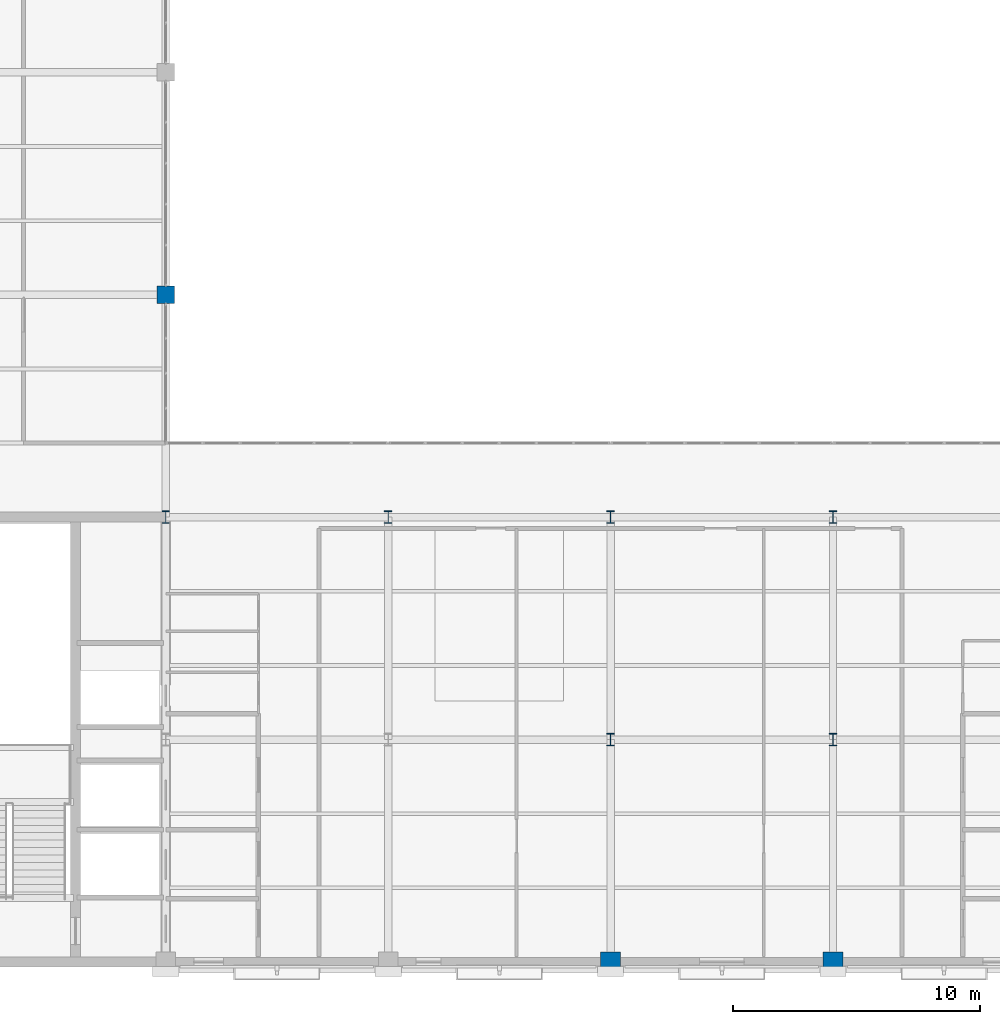
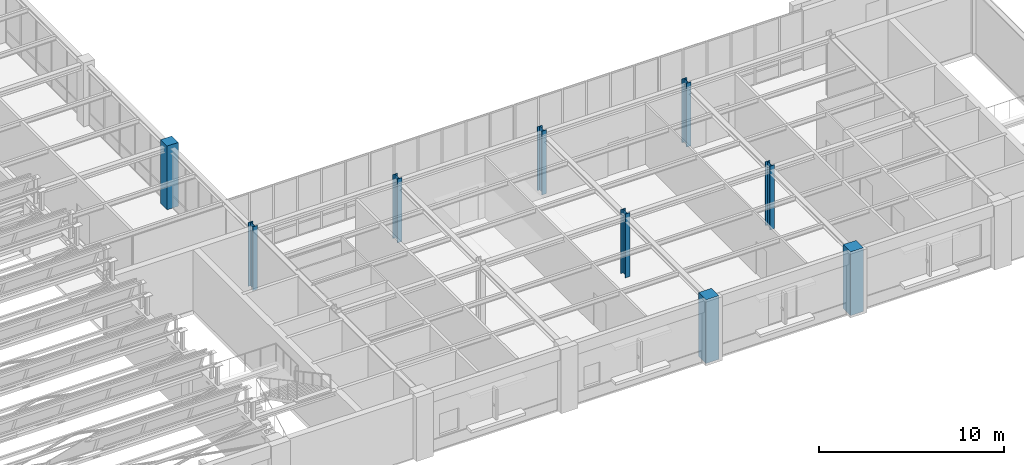
# One storey, part 2 of 108: 9 columns.
"""IFC4 building model written with IfcOpenShell, lengths in metres."""

import ifcopenshell
import ifcopenshell.guid

model = None  # the IFC model being written
_history = None  # IfcOwnerHistory: only IFC2X3 demands one
_inside = {}  # id of a spatial element -> (the spatial element, [elements in it])
_under = {}  # id of a project, library or spatial element -> (it, [spatial elements below it])
_declared = {}  # id of a project -> (the project, [libraries it declares])
_typed = {}  # id of a type object -> (the type object, [elements of that type])
_made_of = {}  # id of a material, layer set ... -> (it, [elements and type objects made of it])


def new_model(schema):
    """Start an empty IFC model of exactly this schema.

    Asked for "IFC4X3", IfcOpenShell would pick the latest addendum, in which some entities
    have other attributes; the version numbers below select the first issue.
    IFC2X3 requires an IfcOwnerHistory on every rooted entity: one is made here for all.
    """
    global model, _history
    if schema == "IFC4X3":
        model = ifcopenshell.file(schema_version=(4, 3, 0, 0))
    else:
        model = ifcopenshell.file(schema=schema)
    _inside.clear()
    _under.clear()
    _declared.clear()
    _typed.clear()
    _made_of.clear()
    _history = None
    if model.schema == "IFC2X3":
        org = make("IfcOrganization", Name="unknown")
        user = make(
            "IfcPersonAndOrganization",
            ThePerson=make("IfcPerson", FamilyName="unknown"),
            TheOrganization=org,
        )
        app = make(
            "IfcApplication",
            ApplicationDeveloper=org,
            Version="unknown",
            ApplicationFullName="unknown",
            ApplicationIdentifier="unknown",
        )
        _history = make(
            "IfcOwnerHistory",
            OwningUser=user,
            OwningApplication=app,
            ChangeAction="ADDED",
            CreationDate=0,
        )
    return model


def make(cls, **values):
    """One entity of the class cls with the attributes given. An attribute that is None is left unset."""
    return model.create_entity(
        cls, **{name: value for name, value in values.items() if value is not None}
    )


def rooted(cls, **values):
    """An entity with a GlobalId (a new one), such as an element, a storey or a relation."""
    return make(cls, GlobalId=ifcopenshell.guid.new(), OwnerHistory=_history, **values)


def si_unit(unit_type, name, prefix=None):
    """IfcSIUnit, for example si_unit("LENGTHUNIT", "METRE", prefix="MILLI")."""
    return make("IfcSIUnit", UnitType=unit_type, Prefix=prefix, Name=name)


def assignment(units):
    """IfcUnitAssignment: the units of a project."""
    return None if units is None else make("IfcUnitAssignment", Units=units)


def point(xyz):
    """IfcCartesianPoint."""
    return None if xyz is None else make("IfcCartesianPoint", Coordinates=xyz)


def direction(xyz):
    """IfcDirection."""
    return None if xyz is None else make("IfcDirection", DirectionRatios=xyz)


def frame(location, z_axis=None, x_axis=None):
    """IfcAxis2Placement3D, a coordinate frame: its origin and axes. An axis left out is left unset."""
    return make(
        "IfcAxis2Placement3D",
        Location=point(location),
        Axis=direction(z_axis),
        RefDirection=direction(x_axis),
    )


def frame_2d(location, x_axis=None):
    """IfcAxis2Placement2D, a coordinate frame in the plane: its origin and x axis."""
    return make(
        "IfcAxis2Placement2D", Location=point(location), RefDirection=direction(x_axis)
    )


def origin():
    """The frame at (0, 0, 0) with its axes left unset."""
    return frame((0.0, 0.0, 0.0))


def origin_2d():
    """The frame at (0, 0) in the plane with its x axis left unset."""
    return frame_2d((0.0, 0.0))


def place(relative_to, where):
    """IfcLocalPlacement: puts the frame where relative to a parent placement (None: the world)."""
    return make(
        "IfcLocalPlacement", PlacementRelTo=relative_to, RelativePlacement=where
    )


def context(
    kind, dimensions, precision=None, world=None, true_north=None, identifier=None
):
    """IfcGeometricRepresentationContext, for example the 3D "Model" context."""
    return make(
        "IfcGeometricRepresentationContext",
        ContextIdentifier=identifier,
        ContextType=kind,
        CoordinateSpaceDimension=dimensions,
        Precision=precision,
        WorldCoordinateSystem=world,
        TrueNorth=true_north,
    )


def subcontext(parent, identifier, kind, view, scale=None):
    """IfcGeometricRepresentationSubContext, for example "Body" below "Model"."""
    return make(
        "IfcGeometricRepresentationSubContext",
        ContextIdentifier=identifier,
        ContextType=kind,
        ParentContext=parent,
        TargetScale=scale,
        TargetView=view,
    )


def project(units=None, contexts=None):
    """IfcProject with its units and contexts."""
    return rooted(
        "IfcProject",
        Name="project",
        RepresentationContexts=contexts,
        UnitsInContext=assignment(units),
    )


def spatial(cls, under=None, at=None, **own):
    """A site, building, storey or space (cls), placed at a placement, below another one or the project."""
    s = rooted(cls, ObjectPlacement=at, **own)
    if under is not None:
        _under.setdefault(under.id(), (under, []))[1].append(s)
    return s


def profile(cls, at=None, kind="AREA", **sizes):
    """A parametric profile (cls). Its sizes go by their IFC names, for example OverallWidth=200.0."""
    return make(cls, ProfileType=kind, Position=at, **sizes)


def rectangle(**sizes):
    """IfcRectangleProfileDef."""
    return profile("IfcRectangleProfileDef", **sizes)


def i_section(**sizes):
    """IfcIShapeProfileDef."""
    return profile("IfcIShapeProfileDef", **sizes)


def extrude(swept, where, along, depth):
    """IfcExtrudedAreaSolid: the profile swept, set in the frame where, extruded along a direction by depth."""
    return make(
        "IfcExtrudedAreaSolid",
        SweptArea=swept,
        Position=where,
        ExtrudedDirection=direction(along),
        Depth=depth,
    )


def shape(context_of_items, identifier, shape_type, items):
    """IfcShapeRepresentation: the items that make up one representation, for example the "Body"."""
    return make(
        "IfcShapeRepresentation",
        ContextOfItems=context_of_items,
        RepresentationIdentifier=identifier,
        RepresentationType=shape_type,
        Items=items,
    )


def material(Name=None, Category=None):
    """IfcMaterial."""
    return make("IfcMaterial", Name=Name, Category=Category)


def material_profile(
    of_material, cross_section, Name=None, Category=None, Priority=None
):
    """IfcMaterialProfile: a cross section and its material."""
    return make(
        "IfcMaterialProfile",
        Name=Name,
        Material=of_material,
        Profile=cross_section,
        Priority=Priority,
        Category=Category,
    )


def profile_set(profiles, Name=None, composite=None):
    """IfcMaterialProfileSet."""
    return make(
        "IfcMaterialProfileSet",
        Name=Name,
        MaterialProfiles=profiles,
        CompositeProfile=composite,
    )


def made_of(thing, what):
    """Note that an element or type object is made of a material, layer set ...; save() writes the relation."""
    if what is not None:
        _made_of.setdefault(what.id(), (what, []))[1].append(thing)
    return thing


def type_object(cls, material=None, **own):
    """A type object (cls), such as IfcWallType, which elements share."""
    return made_of(rooted(cls, **own), material)


def element(
    cls,
    number,
    at=None,
    inside=None,
    cuts=None,
    type_object=None,
    material=None,
    context=None,
    identifier="Body",
    shape_type=None,
    held_by="IfcProductDefinitionShape",
    body=None,
    shapes=None,
    **own,
):
    """One element of the class cls, such as IfcWall. Its Tag is "e" and its number.

    at: its placement. inside: the storey or other place that contains it. cuts: it is an
    opening in that element (IfcRelVoidsElement). A single representation is given by context,
    identifier, shape_type and body (its items); several are given by shapes. held_by: the class
    of the entity that holds the representations. save() writes the other relations.
    """
    e = rooted(cls, Tag="e%d" % number, ObjectPlacement=at, **own)
    if body is not None:
        shapes = [shape(context, identifier, shape_type, body)]
    if shapes is not None:
        e.Representation = make(held_by, Representations=shapes)
    if inside is not None:
        _inside.setdefault(inside.id(), (inside, []))[1].append(e)
    if cuts is not None:
        rooted(
            "IfcRelVoidsElement", RelatingBuildingElement=cuts, RelatedOpeningElement=e
        )
    if type_object is not None:
        _typed.setdefault(type_object.id(), (type_object, []))[1].append(e)
    return made_of(e, material)


def aggregate(whole, parts):
    """IfcRelAggregates: a whole, such as a stair, and the parts it consists of."""
    return rooted("IfcRelAggregates", RelatingObject=whole, RelatedObjects=parts)


def save(model, path):
    """Write the relations noted so far, then the file.

    IfcRelAggregates (storeys below a building ...), IfcRelContainedInSpatialStructure (elements
    in a storey), IfcRelDefinesByType, IfcRelAssociatesMaterial and IfcRelDeclares: one each for
    every whole, place, type object, material and project.
    """
    for whole, parts in _under.values():
        aggregate(whole, parts)
    for where, things in _inside.values():
        rooted(
            "IfcRelContainedInSpatialStructure",
            RelatedElements=things,
            RelatingStructure=where,
        )
    for kind, things in _typed.values():
        rooted("IfcRelDefinesByType", RelatedObjects=things, RelatingType=kind)
    for what, things in _made_of.values():
        rooted("IfcRelAssociatesMaterial", RelatedObjects=things, RelatingMaterial=what)
    for by, libraries in _declared.values():
        rooted("IfcRelDeclares", RelatingContext=by, RelatedDefinitions=libraries)
    model.write(path)


model = new_model("IFC4")

# Units and contexts
model_context = context("Model", 3, precision=1e-05, world=origin(), true_north=direction((0.0, 1.0)))
body_context = subcontext(model_context, "Body", "Model", "MODEL_VIEW")
ifc_project = project(units=[si_unit("LENGTHUNIT", "METRE"), si_unit("AREAUNIT", "SQUARE_METRE"), si_unit("VOLUMEUNIT", "CUBIC_METRE"), si_unit("PLANEANGLEUNIT", "RADIAN"), si_unit("MASSUNIT", "GRAM", prefix="KILO")], contexts=[model_context])

# Site, building, storey
site_placement = place(None, origin())
site = spatial("IfcSite", under=ifc_project, at=site_placement, CompositionType="ELEMENT")
building_placement = place(site_placement, origin())
building = spatial("IfcBuilding", under=site, at=building_placement, Name="Lykobir Media Centre", CompositionType="ELEMENT")
storey_placement = place(building_placement, frame((0.0, 0.0, 15.0)))
storey = spatial("IfcBuildingStorey", under=building, at=storey_placement, Name="L03", CompositionType="ELEMENT", Elevation=15.0)

# Columns
ifc_material_1 = material(Name="Concrete C40/50", Category="concrete")
ifc_material_profile_1 = material_profile(ifc_material_1, rectangle(XDim=0.699951171875, YDim=0.699951171875, at=origin_2d()), Name="RC 700x700")
ifc_profile_set_1 = profile_set([ifc_material_profile_1], Name="Concrete C40/50")
column_type_1 = type_object("IfcColumnType", Name="RC-C700", PredefinedType="COLUMN", material=ifc_profile_set_1)
column_placement = place(storey_placement, frame((36.0, 27.0, 0.0), z_axis=(0.0, 0.0, 1.0), x_axis=(1.0, 0.0, 0.0)))
element("IfcColumn", 1, at=column_placement, inside=storey, type_object=column_type_1, Name="Column COL-L03-0360-0270", PredefinedType="COLUMN", context=body_context, shape_type="SweptSolid", body=[
    extrude(rectangle(XDim=0.699951171875, YDim=0.699951171875, at=origin_2d()), origin(), (0.0, 0.0, 1.0), 4.199951171875),
])
ifc_material_profile_2 = material_profile(ifc_material_1, rectangle(XDim=0.800048828125, YDim=0.800048828125, at=origin_2d()), Name="RC 800x800")
ifc_profile_set_2 = profile_set([ifc_material_profile_2], Name="Concrete C40/50")
column_type_2 = type_object("IfcColumnType", Name="RC-C800-E", PredefinedType="COLUMN", material=ifc_profile_set_2)
for number, where, z_axis, x_axis, name in (
    (2, (54.0, 0.0, 0.0), (0.0, 0.0, 1.0), (1.0, 0.0, 0.0), "Column COL-L03-0540-0000"),
    (3, (63.0, 0.0, 0.0), (0.0, 0.0, 1.0), (1.0, 0.0, 0.0), "Column COL-L03-0630-0000"),
):
    element("IfcColumn", number, at=place(storey_placement, frame(where, z_axis=z_axis, x_axis=x_axis)), inside=storey, type_object=column_type_2, Name=name, PredefinedType="COLUMN", context=body_context, shape_type="SweptSolid", body=[
        extrude(rectangle(XDim=0.800048828125, YDim=0.800048828125, at=origin_2d()), origin(), (0.0, 0.0, 1.0), 4.199951171875),
    ])
ifc_material_2 = material(Name="Steel S355", Category="steel")
ifc_material_profile_3 = material_profile(ifc_material_2, i_section(OverallWidth=0.300048828125, OverallDepth=0.5, WebThickness=0.014404296875, FlangeThickness=0.028076171875, at=origin_2d()), Name="HEB 500")
ifc_profile_set_3 = profile_set([ifc_material_profile_3], Name="Steel S355")
column_type_3 = type_object("IfcColumnType", Name="SC-HEB500", PredefinedType="COLUMN", material=ifc_profile_set_3)
for number, where, z_axis, x_axis, name in (
    (4, (36.0, 18.0, 0.0), (0.0, 0.0, 1.0), (1.0, 0.0, 0.0), "Column COL-L03-0360-0180"),
    (5, (45.0, 18.0, 0.0), (0.0, 0.0, 1.0), (1.0, 0.0, 0.0), "Column COL-L03-0450-0180"),
    (6, (54.0, 9.0, 0.0), (0.0, 0.0, 1.0), (1.0, 0.0, 0.0), "Column COL-L03-0540-0090"),
    (7, (54.0, 18.0, 0.0), (0.0, 0.0, 1.0), (1.0, 0.0, 0.0), "Column COL-L03-0540-0180"),
    (8, (63.0, 9.0, 0.0), (0.0, 0.0, 1.0), (1.0, 0.0, 0.0), "Column COL-L03-0630-0090"),
    (9, (63.0, 18.0, 0.0), (0.0, 0.0, 1.0), (1.0, 0.0, 0.0), "Column COL-L03-0630-0180"),
):
    element("IfcColumn", number, at=place(storey_placement, frame(where, z_axis=z_axis, x_axis=x_axis)), inside=storey, type_object=column_type_3, Name=name, PredefinedType="COLUMN", context=body_context, shape_type="SweptSolid", body=[
        extrude(i_section(OverallWidth=0.300048828125, OverallDepth=0.5, WebThickness=0.014404296875, FlangeThickness=0.028076171875, at=origin_2d()), origin(), (0.0, 0.0, 1.0), 4.199951171875),
    ])

save(model, "model.ifc")
